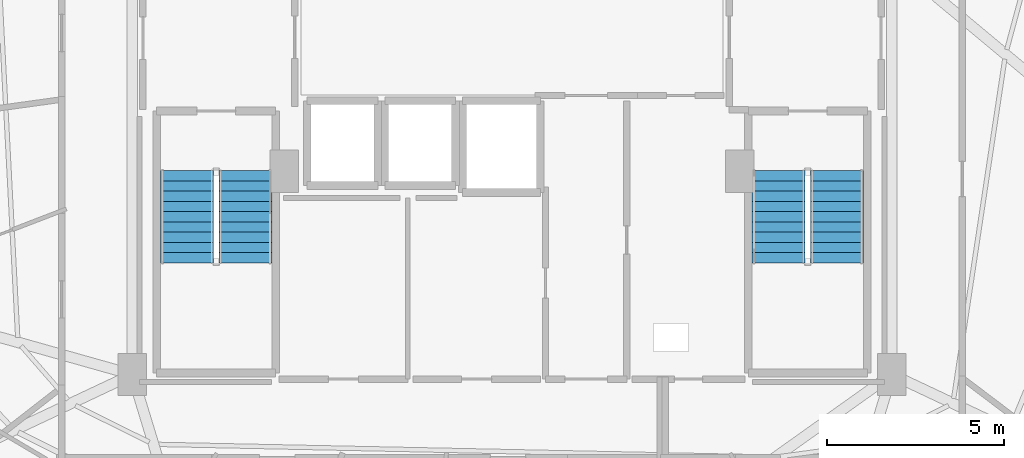
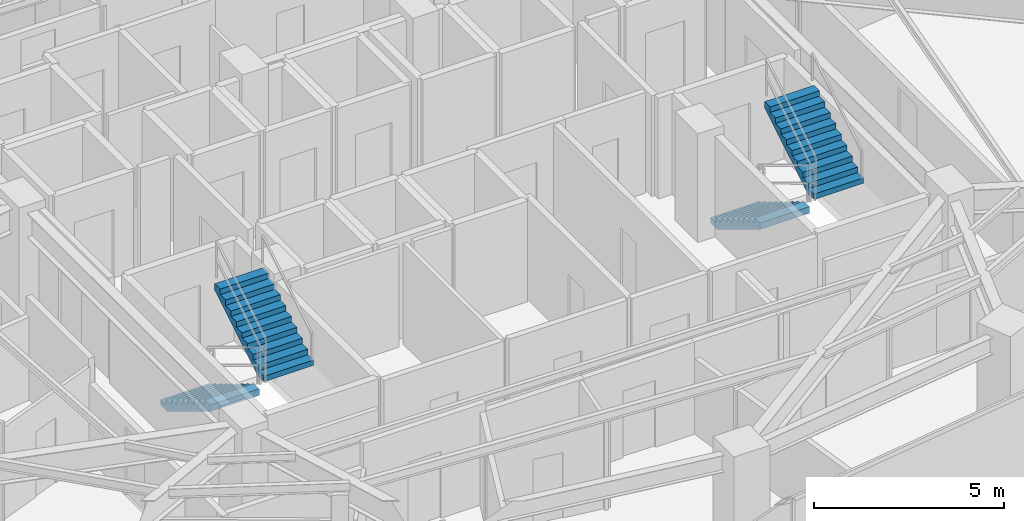
# One storey, part 26 of 30: 4 stair flights, 2 elements without a shape of their own.
"""IFC4 building model written with IfcOpenShell, lengths in metres."""

from ifc_helpers import new_model, si_unit, direction, frame, origin, place, context, subcontext, project, spatial, polyline, outline, extrude, material, type_object, element, aggregate, save


model = new_model("IFC4")

# Units and contexts
model_context = context("Model", 3, precision=1e-05, world=origin(), true_north=direction((0.0, 1.0)))
body_context = subcontext(model_context, "Body", "Model", "MODEL_VIEW")
ifc_project = project(units=[si_unit("LENGTHUNIT", "METRE"), si_unit("AREAUNIT", "SQUARE_METRE"), si_unit("VOLUMEUNIT", "CUBIC_METRE"), si_unit("PLANEANGLEUNIT", "RADIAN"), si_unit("MASSUNIT", "GRAM", prefix="KILO")], contexts=[model_context])

# Site, building, storey
site_placement = place(None, origin())
site = spatial("IfcSite", under=ifc_project, at=site_placement, CompositionType="ELEMENT")
building_placement = place(site_placement, origin())
building = spatial("IfcBuilding", under=site, at=building_placement, Name="Vorneva Point Tower", CompositionType="ELEMENT")
storey_placement = place(building_placement, frame((0.0, 0.0, 89.300048828125)))
storey = spatial("IfcBuildingStorey", under=building, at=storey_placement, Name="L23", CompositionType="ELEMENT", Elevation=89.300048828125)

# Stair, stair flights
ifc_material = material(Name="Concrete B50 (C40/50)", Category="concrete")
stair_type = type_object("IfcStairType", Name="ST-DOG-1500", PredefinedType="HALF_TURN_STAIR", material=ifc_material)
stair_1_placement = place(storey_placement, origin())
stair_1 = element("IfcStair", 1, at=stair_1_placement, inside=storey, type_object=stair_type, Name="L23 ST1", PredefinedType="HALF_TURN_STAIR")
stair_flight_type = type_object("IfcStairFlightType", Name="STF-1500", PredefinedType="STRAIGHT", material=ifc_material)
stair_flight_1_placement = place(storey_placement, frame((28.800048828125, 22.219970703125, 0.0), z_axis=(0.0, 0.0, 1.0), x_axis=(0.0, -1.0, 0.0)))
stair_flight_1 = element("IfcStairFlight", 2, at=stair_flight_1_placement, type_object=stair_flight_type, Name="ST1 flight 1", NumberOfRisers=10, NumberOfTreads=9, PredefinedType="STRAIGHT", RiserHeight=0.175, TreadLength=0.29, context=body_context, shape_type="SweptSolid", body=[
    extrude(outline(polyline([(0.0, 0.0), (0.0, 0.175048828125), (0.2900390625, 0.175048828125), (0.2900390625, 0.35009765625), (0.580078125, 0.35009765625), (0.580078125, 0.52490234375), (0.8701171875, 0.52490234375), (0.8701171875, 0.699951171875), (1.159912109375, 0.699951171875), (1.159912109375, 0.875), (1.449951171875, 0.875), (1.449951171875, 1.050048828125), (1.739990234375, 1.050048828125), (1.739990234375, 1.22509765625), (2.030029296875, 1.22509765625), (2.030029296875, 1.39990234375), (2.320068359375, 1.39990234375), (2.320068359375, 1.574951171875), (2.610107421875, 1.574951171875), (2.610107421875, 1.75), (2.610107421875, 1.36474609375), (0.34814453125, 0.0), (0.0, 0.0)])), frame((0.0, 0.75, 0.0), z_axis=(0.0, -1.0, 0.0), x_axis=(1.0, 0.0, 0.0)), (0.0, 0.0, 1.0), 1.5),
])
stair_flight_2_placement = place(storey_placement, frame((30.449951171875, 19.610107421875, 1.75), z_axis=(0.0, 0.0, 1.0), x_axis=(0.0, 1.0, 0.0)))
stair_flight_2 = element("IfcStairFlight", 3, at=stair_flight_2_placement, type_object=stair_flight_type, Name="ST1 flight 2", NumberOfRisers=10, NumberOfTreads=9, PredefinedType="STRAIGHT", RiserHeight=0.175, TreadLength=0.29, context=body_context, shape_type="SweptSolid", body=[
    extrude(outline(polyline([(0.0, 0.0), (0.0, 0.175048828125), (0.2900390625, 0.175048828125), (0.2900390625, 0.35009765625), (0.580078125, 0.35009765625), (0.580078125, 0.52490234375), (0.8701171875, 0.52490234375), (0.8701171875, 0.699951171875), (1.159912109375, 0.699951171875), (1.159912109375, 0.875), (1.449951171875, 0.875), (1.449951171875, 1.050048828125), (1.739990234375, 1.050048828125), (1.739990234375, 1.22509765625), (2.030029296875, 1.22509765625), (2.030029296875, 1.39990234375), (2.320068359375, 1.39990234375), (2.320068359375, 1.574951171875), (2.610107421875, 1.574951171875), (2.610107421875, 1.75), (2.610107421875, 1.36474609375), (0.34814453125, 0.0), (0.0, 0.0)])), frame((0.0, 0.75, 0.0), z_axis=(0.0, -1.0, 0.0), x_axis=(1.0, 0.0, 0.0)), (0.0, 0.0, 1.0), 1.5),
])
aggregate(stair_1, [stair_flight_1, stair_flight_2])

stair_2_placement = place(storey_placement, origin())
stair_2 = element("IfcStair", 4, at=stair_2_placement, inside=storey, type_object=stair_type, Name="L23 ST2", PredefinedType="HALF_TURN_STAIR")
stair_flight_3_placement = place(storey_placement, frame((45.550048828125, 22.219970703125, 0.0), z_axis=(0.0, 0.0, 1.0), x_axis=(0.0, -1.0, 0.0)))
stair_flight_3 = element("IfcStairFlight", 5, at=stair_flight_3_placement, type_object=stair_flight_type, Name="ST2 flight 1", NumberOfRisers=10, NumberOfTreads=9, PredefinedType="STRAIGHT", RiserHeight=0.175, TreadLength=0.29, context=body_context, shape_type="SweptSolid", body=[
    extrude(outline(polyline([(0.0, 0.0), (0.0, 0.175048828125), (0.2900390625, 0.175048828125), (0.2900390625, 0.35009765625), (0.580078125, 0.35009765625), (0.580078125, 0.52490234375), (0.8701171875, 0.52490234375), (0.8701171875, 0.699951171875), (1.159912109375, 0.699951171875), (1.159912109375, 0.875), (1.449951171875, 0.875), (1.449951171875, 1.050048828125), (1.739990234375, 1.050048828125), (1.739990234375, 1.22509765625), (2.030029296875, 1.22509765625), (2.030029296875, 1.39990234375), (2.320068359375, 1.39990234375), (2.320068359375, 1.574951171875), (2.610107421875, 1.574951171875), (2.610107421875, 1.75), (2.610107421875, 1.36474609375), (0.34814453125, 0.0), (0.0, 0.0)])), frame((0.0, 0.75, 0.0), z_axis=(0.0, -1.0, 0.0), x_axis=(1.0, 0.0, 0.0)), (0.0, 0.0, 1.0), 1.5),
])
stair_flight_4_placement = place(storey_placement, frame((47.199951171875, 19.610107421875, 1.75), z_axis=(0.0, 0.0, 1.0), x_axis=(0.0, 1.0, 0.0)))
stair_flight_4 = element("IfcStairFlight", 6, at=stair_flight_4_placement, type_object=stair_flight_type, Name="ST2 flight 2", NumberOfRisers=10, NumberOfTreads=9, PredefinedType="STRAIGHT", RiserHeight=0.175, TreadLength=0.29, context=body_context, shape_type="SweptSolid", body=[
    extrude(outline(polyline([(0.0, 0.0), (0.0, 0.175048828125), (0.2900390625, 0.175048828125), (0.2900390625, 0.35009765625), (0.580078125, 0.35009765625), (0.580078125, 0.52490234375), (0.8701171875, 0.52490234375), (0.8701171875, 0.699951171875), (1.159912109375, 0.699951171875), (1.159912109375, 0.875), (1.449951171875, 0.875), (1.449951171875, 1.050048828125), (1.739990234375, 1.050048828125), (1.739990234375, 1.22509765625), (2.030029296875, 1.22509765625), (2.030029296875, 1.39990234375), (2.320068359375, 1.39990234375), (2.320068359375, 1.574951171875), (2.610107421875, 1.574951171875), (2.610107421875, 1.75), (2.610107421875, 1.36474609375), (0.34814453125, 0.0), (0.0, 0.0)])), frame((0.0, 0.75, 0.0), z_axis=(0.0, -1.0, 0.0), x_axis=(1.0, 0.0, 0.0)), (0.0, 0.0, 1.0), 1.5),
])
aggregate(stair_2, [stair_flight_3, stair_flight_4])

save(model, "model.ifc")
